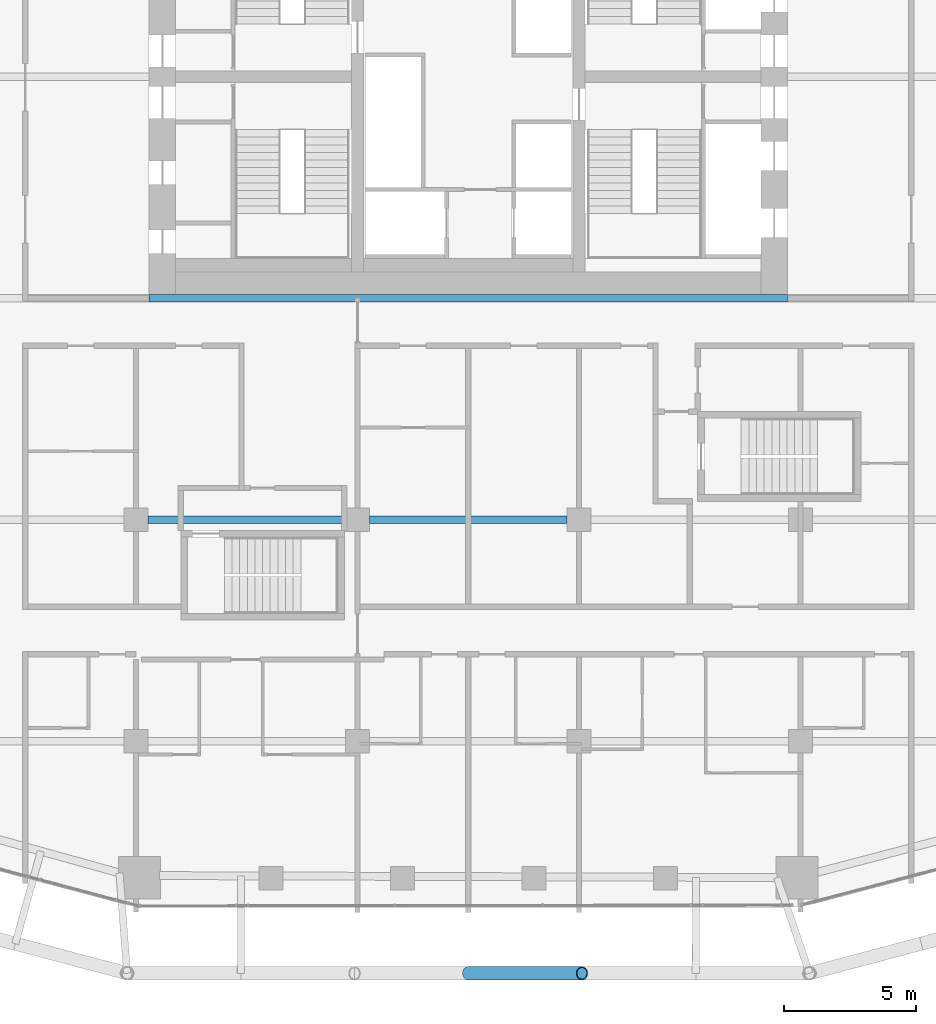
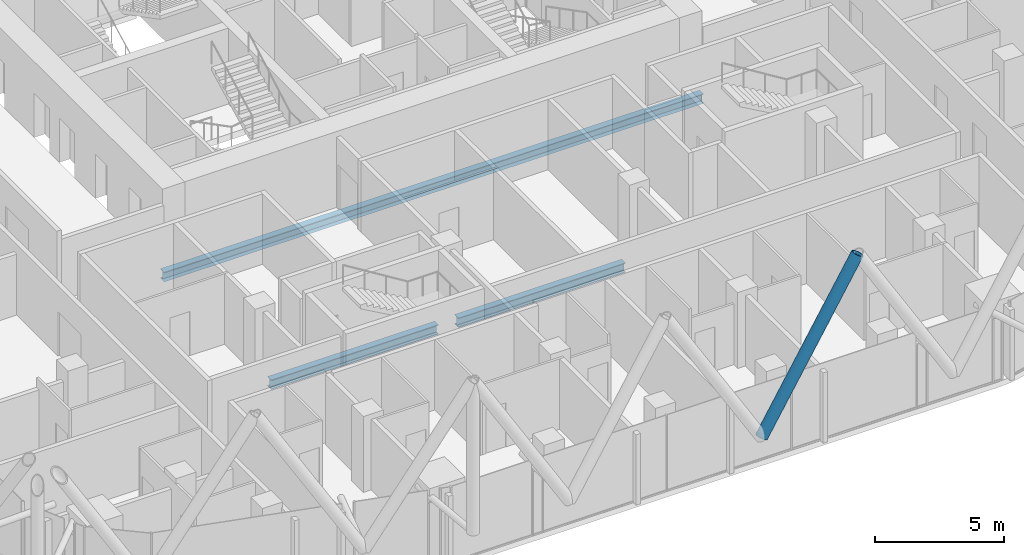
# One storey, part 5 of 36: 3 beams, 1 member.
"""IFC4 building model written with IfcOpenShell, lengths in metres."""

import ifcopenshell
import ifcopenshell.guid

model = None  # the IFC model being written
_history = None  # IfcOwnerHistory: only IFC2X3 demands one
_inside = {}  # id of a spatial element -> (the spatial element, [elements in it])
_under = {}  # id of a project, library or spatial element -> (it, [spatial elements below it])
_declared = {}  # id of a project -> (the project, [libraries it declares])
_typed = {}  # id of a type object -> (the type object, [elements of that type])
_made_of = {}  # id of a material, layer set ... -> (it, [elements and type objects made of it])


def new_model(schema):
    """Start an empty IFC model of exactly this schema.

    Asked for "IFC4X3", IfcOpenShell would pick the latest addendum, in which some entities
    have other attributes; the version numbers below select the first issue.
    IFC2X3 requires an IfcOwnerHistory on every rooted entity: one is made here for all.
    """
    global model, _history
    if schema == "IFC4X3":
        model = ifcopenshell.file(schema_version=(4, 3, 0, 0))
    else:
        model = ifcopenshell.file(schema=schema)
    _inside.clear()
    _under.clear()
    _declared.clear()
    _typed.clear()
    _made_of.clear()
    _history = None
    if model.schema == "IFC2X3":
        org = make("IfcOrganization", Name="unknown")
        user = make(
            "IfcPersonAndOrganization",
            ThePerson=make("IfcPerson", FamilyName="unknown"),
            TheOrganization=org,
        )
        app = make(
            "IfcApplication",
            ApplicationDeveloper=org,
            Version="unknown",
            ApplicationFullName="unknown",
            ApplicationIdentifier="unknown",
        )
        _history = make(
            "IfcOwnerHistory",
            OwningUser=user,
            OwningApplication=app,
            ChangeAction="ADDED",
            CreationDate=0,
        )
    return model


def make(cls, **values):
    """One entity of the class cls with the attributes given. An attribute that is None is left unset."""
    return model.create_entity(
        cls, **{name: value for name, value in values.items() if value is not None}
    )


def rooted(cls, **values):
    """An entity with a GlobalId (a new one), such as an element, a storey or a relation."""
    return make(cls, GlobalId=ifcopenshell.guid.new(), OwnerHistory=_history, **values)


def si_unit(unit_type, name, prefix=None):
    """IfcSIUnit, for example si_unit("LENGTHUNIT", "METRE", prefix="MILLI")."""
    return make("IfcSIUnit", UnitType=unit_type, Prefix=prefix, Name=name)


def assignment(units):
    """IfcUnitAssignment: the units of a project."""
    return None if units is None else make("IfcUnitAssignment", Units=units)


def point(xyz):
    """IfcCartesianPoint."""
    return None if xyz is None else make("IfcCartesianPoint", Coordinates=xyz)


def direction(xyz):
    """IfcDirection."""
    return None if xyz is None else make("IfcDirection", DirectionRatios=xyz)


def frame(location, z_axis=None, x_axis=None):
    """IfcAxis2Placement3D, a coordinate frame: its origin and axes. An axis left out is left unset."""
    return make(
        "IfcAxis2Placement3D",
        Location=point(location),
        Axis=direction(z_axis),
        RefDirection=direction(x_axis),
    )


def frame_2d(location, x_axis=None):
    """IfcAxis2Placement2D, a coordinate frame in the plane: its origin and x axis."""
    return make(
        "IfcAxis2Placement2D", Location=point(location), RefDirection=direction(x_axis)
    )


def origin():
    """The frame at (0, 0, 0) with its axes left unset."""
    return frame((0.0, 0.0, 0.0))


def origin_2d():
    """The frame at (0, 0) in the plane with its x axis left unset."""
    return frame_2d((0.0, 0.0))


def place(relative_to, where):
    """IfcLocalPlacement: puts the frame where relative to a parent placement (None: the world)."""
    return make(
        "IfcLocalPlacement", PlacementRelTo=relative_to, RelativePlacement=where
    )


def context(
    kind, dimensions, precision=None, world=None, true_north=None, identifier=None
):
    """IfcGeometricRepresentationContext, for example the 3D "Model" context."""
    return make(
        "IfcGeometricRepresentationContext",
        ContextIdentifier=identifier,
        ContextType=kind,
        CoordinateSpaceDimension=dimensions,
        Precision=precision,
        WorldCoordinateSystem=world,
        TrueNorth=true_north,
    )


def subcontext(parent, identifier, kind, view, scale=None):
    """IfcGeometricRepresentationSubContext, for example "Body" below "Model"."""
    return make(
        "IfcGeometricRepresentationSubContext",
        ContextIdentifier=identifier,
        ContextType=kind,
        ParentContext=parent,
        TargetScale=scale,
        TargetView=view,
    )


def project(units=None, contexts=None):
    """IfcProject with its units and contexts."""
    return rooted(
        "IfcProject",
        Name="project",
        RepresentationContexts=contexts,
        UnitsInContext=assignment(units),
    )


def spatial(cls, under=None, at=None, **own):
    """A site, building, storey or space (cls), placed at a placement, below another one or the project."""
    s = rooted(cls, ObjectPlacement=at, **own)
    if under is not None:
        _under.setdefault(under.id(), (under, []))[1].append(s)
    return s


def profile(cls, at=None, kind="AREA", **sizes):
    """A parametric profile (cls). Its sizes go by their IFC names, for example OverallWidth=200.0."""
    return make(cls, ProfileType=kind, Position=at, **sizes)


def hollow_circle(**sizes):
    """IfcCircleHollowProfileDef."""
    return profile("IfcCircleHollowProfileDef", **sizes)


def i_section(**sizes):
    """IfcIShapeProfileDef."""
    return profile("IfcIShapeProfileDef", **sizes)


def extrude(swept, where, along, depth):
    """IfcExtrudedAreaSolid: the profile swept, set in the frame where, extruded along a direction by depth."""
    return make(
        "IfcExtrudedAreaSolid",
        SweptArea=swept,
        Position=where,
        ExtrudedDirection=direction(along),
        Depth=depth,
    )


def shape(context_of_items, identifier, shape_type, items):
    """IfcShapeRepresentation: the items that make up one representation, for example the "Body"."""
    return make(
        "IfcShapeRepresentation",
        ContextOfItems=context_of_items,
        RepresentationIdentifier=identifier,
        RepresentationType=shape_type,
        Items=items,
    )


def material(Name=None, Category=None):
    """IfcMaterial."""
    return make("IfcMaterial", Name=Name, Category=Category)


def material_profile(
    of_material, cross_section, Name=None, Category=None, Priority=None
):
    """IfcMaterialProfile: a cross section and its material."""
    return make(
        "IfcMaterialProfile",
        Name=Name,
        Material=of_material,
        Profile=cross_section,
        Priority=Priority,
        Category=Category,
    )


def profile_set(profiles, Name=None, composite=None):
    """IfcMaterialProfileSet."""
    return make(
        "IfcMaterialProfileSet",
        Name=Name,
        MaterialProfiles=profiles,
        CompositeProfile=composite,
    )


def made_of(thing, what):
    """Note that an element or type object is made of a material, layer set ...; save() writes the relation."""
    if what is not None:
        _made_of.setdefault(what.id(), (what, []))[1].append(thing)
    return thing


def type_object(cls, material=None, **own):
    """A type object (cls), such as IfcWallType, which elements share."""
    return made_of(rooted(cls, **own), material)


def element(
    cls,
    number,
    at=None,
    inside=None,
    cuts=None,
    type_object=None,
    material=None,
    context=None,
    identifier="Body",
    shape_type=None,
    held_by="IfcProductDefinitionShape",
    body=None,
    shapes=None,
    **own,
):
    """One element of the class cls, such as IfcWall. Its Tag is "e" and its number.

    at: its placement. inside: the storey or other place that contains it. cuts: it is an
    opening in that element (IfcRelVoidsElement). A single representation is given by context,
    identifier, shape_type and body (its items); several are given by shapes. held_by: the class
    of the entity that holds the representations. save() writes the other relations.
    """
    e = rooted(cls, Tag="e%d" % number, ObjectPlacement=at, **own)
    if body is not None:
        shapes = [shape(context, identifier, shape_type, body)]
    if shapes is not None:
        e.Representation = make(held_by, Representations=shapes)
    if inside is not None:
        _inside.setdefault(inside.id(), (inside, []))[1].append(e)
    if cuts is not None:
        rooted(
            "IfcRelVoidsElement", RelatingBuildingElement=cuts, RelatedOpeningElement=e
        )
    if type_object is not None:
        _typed.setdefault(type_object.id(), (type_object, []))[1].append(e)
    return made_of(e, material)


def aggregate(whole, parts):
    """IfcRelAggregates: a whole, such as a stair, and the parts it consists of."""
    return rooted("IfcRelAggregates", RelatingObject=whole, RelatedObjects=parts)


def save(model, path):
    """Write the relations noted so far, then the file.

    IfcRelAggregates (storeys below a building ...), IfcRelContainedInSpatialStructure (elements
    in a storey), IfcRelDefinesByType, IfcRelAssociatesMaterial and IfcRelDeclares: one each for
    every whole, place, type object, material and project.
    """
    for whole, parts in _under.values():
        aggregate(whole, parts)
    for where, things in _inside.values():
        rooted(
            "IfcRelContainedInSpatialStructure",
            RelatedElements=things,
            RelatingStructure=where,
        )
    for kind, things in _typed.values():
        rooted("IfcRelDefinesByType", RelatedObjects=things, RelatingType=kind)
    for what, things in _made_of.values():
        rooted("IfcRelAssociatesMaterial", RelatedObjects=things, RelatingMaterial=what)
    for by, libraries in _declared.values():
        rooted("IfcRelDeclares", RelatingContext=by, RelatedDefinitions=libraries)
    model.write(path)


model = new_model("IFC4")

# Units and contexts
model_context = context("Model", 3, precision=1e-05, world=origin(), true_north=direction((0.0, 1.0)))
body_context = subcontext(model_context, "Body", "Model", "MODEL_VIEW")
ifc_project = project(units=[si_unit("LENGTHUNIT", "METRE"), si_unit("AREAUNIT", "SQUARE_METRE"), si_unit("VOLUMEUNIT", "CUBIC_METRE"), si_unit("PLANEANGLEUNIT", "RADIAN"), si_unit("MASSUNIT", "GRAM", prefix="KILO")], contexts=[model_context])

# Site, building, storey
site_placement = place(None, origin())
site = spatial("IfcSite", under=ifc_project, at=site_placement, CompositionType="ELEMENT")
building_placement = place(site_placement, origin())
building = spatial("IfcBuilding", under=site, at=building_placement, Name="Marenta Gate Hotel Tower", CompositionType="ELEMENT")
storey_placement = place(building_placement, frame((0.0, 0.0, 130.10009765625)))
storey = spatial("IfcBuildingStorey", under=building, at=storey_placement, Name="L29", CompositionType="ELEMENT", Elevation=130.10009765625)

# Member
ifc_material_1 = material(Name="Steel S355J2W", Category="steel")
ifc_material_profile_1 = material_profile(ifc_material_1, hollow_circle(Radius=0.25390625, WallThickness=0.0400390625, at=origin_2d()), Name="CHS 508x40")
ifc_profile_set_1 = profile_set([ifc_material_profile_1], Name="Steel S355J2W")
member_type = type_object("IfcMemberType", Name="Diagrid diagonal Z2 CHS 508x40", PredefinedType="BRACE", material=ifc_profile_set_1)
member_placement = place(storey_placement, frame((0.0, -25.60009765625, 3.139892578125), z_axis=(0.513883902774, 0.0, 0.857859740558), x_axis=(0.0, 1.0, 0.0)))
element("IfcMember", 1, at=member_placement, inside=storey, type_object=member_type, Name="L29-DG-17", PredefinedType="BRACE", context=body_context, shape_type="SweptSolid", body=[
    extrude(hollow_circle(Radius=0.25390625, WallThickness=0.0400390625, at=origin_2d()), origin(), (0.0, 0.0, 1.0), 8.392822265625),
])

# Beams
ifc_material_2 = material(Name="Steel S355", Category="steel")
ifc_material_profile_2 = material_profile(ifc_material_2, i_section(OverallWidth=0.300048828125, OverallDepth=0.449951171875, WebThickness=0.013916015625, FlangeThickness=0.02587890625, FilletRadius=0.027099609375, at=origin_2d()), Name="HEB 450")
ifc_profile_set_2 = profile_set([ifc_material_profile_2], Name="Steel S355")
beam_type = type_object("IfcBeamType", Name="Girder HEB 450", PredefinedType="BEAM", material=ifc_profile_set_2)
for number, where, z_axis, x_axis, name in (
    (2, (-12.14990234375, -8.39990234375, -0.485107421875), (1.0, 0.0, 0.0), (0.0, 1.0, 0.0), "L29-GD-10"),
    (3, (-3.75, -8.39990234375, -0.485107421875), (1.0, 0.0, 0.0), (0.0, 1.0, 0.0), "L29-GD-11"),
):
    element("IfcBeam", number, at=place(storey_placement, frame(where, z_axis=z_axis, x_axis=x_axis)), inside=storey, type_object=beam_type, Name=name, PredefinedType="BEAM", context=body_context, shape_type="SweptSolid", body=[
        extrude(i_section(OverallWidth=0.300048828125, OverallDepth=0.449951171875, WebThickness=0.013916015625, FlangeThickness=0.02587890625, FilletRadius=0.027099609375, at=origin_2d()), origin(), (0.0, 0.0, 1.0), 7.5),
    ])
beam_placement = place(storey_placement, frame((-12.10009765625, 0.0, -0.485107421875), z_axis=(1.0, 0.0, 0.0), x_axis=(0.0, 1.0, 0.0)))
element("IfcBeam", 4, at=beam_placement, inside=storey, type_object=beam_type, Name="L29-GD-17", PredefinedType="BEAM", context=body_context, shape_type="SweptSolid", body=[
    extrude(i_section(OverallWidth=0.300048828125, OverallDepth=0.449951171875, WebThickness=0.013916015625, FlangeThickness=0.02587890625, FilletRadius=0.027099609375, at=origin_2d()), origin(), (0.0, 0.0, 1.0), 24.2001953125),
])

save(model, "model.ifc")
